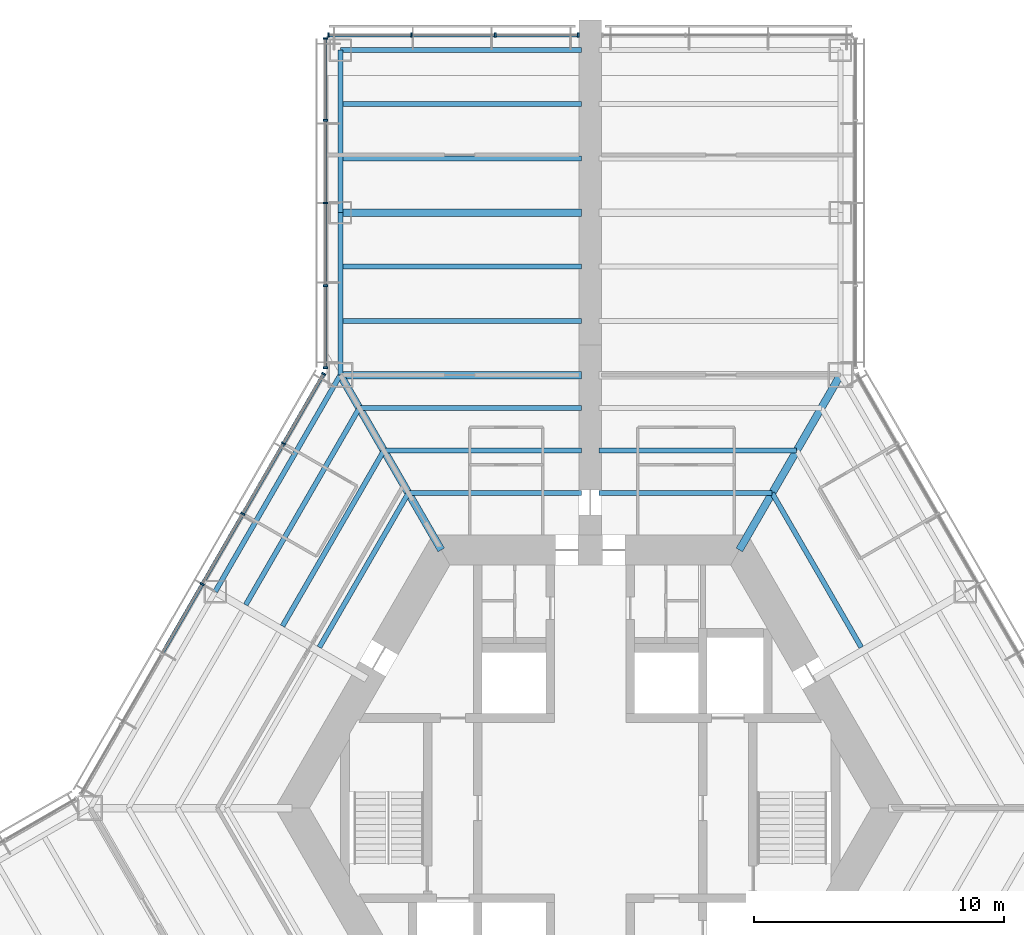
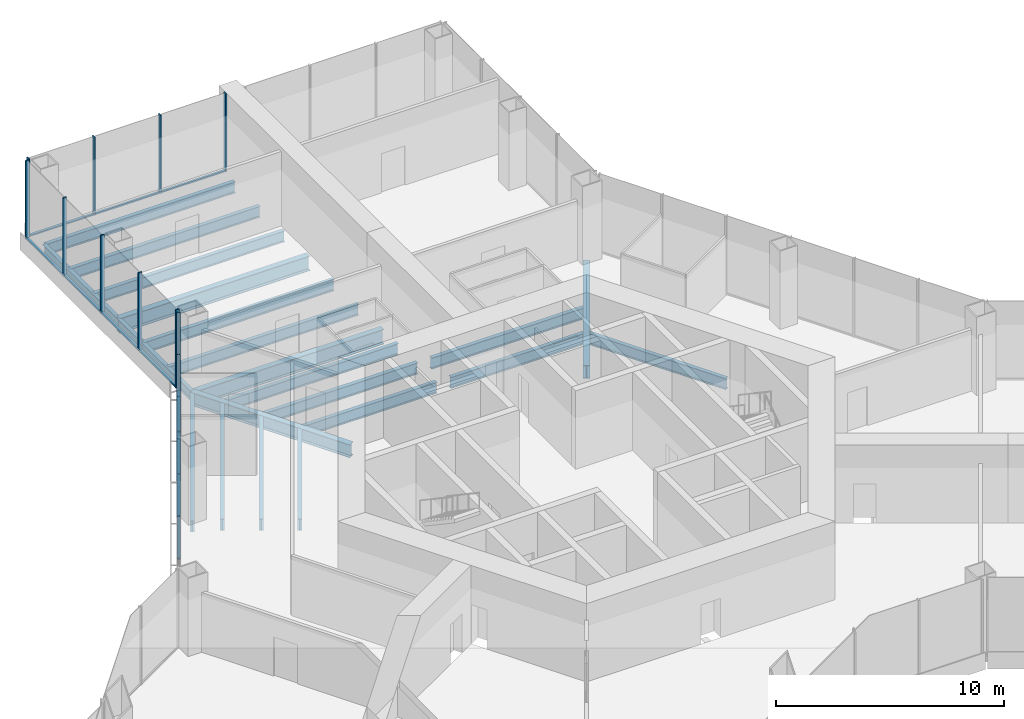
# One storey, part 6 of 16: 24 members, 21 beams, 3 elements without a shape of their own.
"""IFC4 building model written with IfcOpenShell, lengths in metres."""

import ifcopenshell
import ifcopenshell.guid

model = None  # the IFC model being written
_history = None  # IfcOwnerHistory: only IFC2X3 demands one
_inside = {}  # id of a spatial element -> (the spatial element, [elements in it])
_under = {}  # id of a project, library or spatial element -> (it, [spatial elements below it])
_declared = {}  # id of a project -> (the project, [libraries it declares])
_typed = {}  # id of a type object -> (the type object, [elements of that type])
_made_of = {}  # id of a material, layer set ... -> (it, [elements and type objects made of it])


def new_model(schema):
    """Start an empty IFC model of exactly this schema.

    Asked for "IFC4X3", IfcOpenShell would pick the latest addendum, in which some entities
    have other attributes; the version numbers below select the first issue.
    IFC2X3 requires an IfcOwnerHistory on every rooted entity: one is made here for all.
    """
    global model, _history
    if schema == "IFC4X3":
        model = ifcopenshell.file(schema_version=(4, 3, 0, 0))
    else:
        model = ifcopenshell.file(schema=schema)
    _inside.clear()
    _under.clear()
    _declared.clear()
    _typed.clear()
    _made_of.clear()
    _history = None
    if model.schema == "IFC2X3":
        org = make("IfcOrganization", Name="unknown")
        user = make(
            "IfcPersonAndOrganization",
            ThePerson=make("IfcPerson", FamilyName="unknown"),
            TheOrganization=org,
        )
        app = make(
            "IfcApplication",
            ApplicationDeveloper=org,
            Version="unknown",
            ApplicationFullName="unknown",
            ApplicationIdentifier="unknown",
        )
        _history = make(
            "IfcOwnerHistory",
            OwningUser=user,
            OwningApplication=app,
            ChangeAction="ADDED",
            CreationDate=0,
        )
    return model


def make(cls, **values):
    """One entity of the class cls with the attributes given. An attribute that is None is left unset."""
    return model.create_entity(
        cls, **{name: value for name, value in values.items() if value is not None}
    )


def rooted(cls, **values):
    """An entity with a GlobalId (a new one), such as an element, a storey or a relation."""
    return make(cls, GlobalId=ifcopenshell.guid.new(), OwnerHistory=_history, **values)


def si_unit(unit_type, name, prefix=None):
    """IfcSIUnit, for example si_unit("LENGTHUNIT", "METRE", prefix="MILLI")."""
    return make("IfcSIUnit", UnitType=unit_type, Prefix=prefix, Name=name)


def assignment(units):
    """IfcUnitAssignment: the units of a project."""
    return None if units is None else make("IfcUnitAssignment", Units=units)


def point(xyz):
    """IfcCartesianPoint."""
    return None if xyz is None else make("IfcCartesianPoint", Coordinates=xyz)


def direction(xyz):
    """IfcDirection."""
    return None if xyz is None else make("IfcDirection", DirectionRatios=xyz)


def frame(location, z_axis=None, x_axis=None):
    """IfcAxis2Placement3D, a coordinate frame: its origin and axes. An axis left out is left unset."""
    return make(
        "IfcAxis2Placement3D",
        Location=point(location),
        Axis=direction(z_axis),
        RefDirection=direction(x_axis),
    )


def frame_2d(location, x_axis=None):
    """IfcAxis2Placement2D, a coordinate frame in the plane: its origin and x axis."""
    return make(
        "IfcAxis2Placement2D", Location=point(location), RefDirection=direction(x_axis)
    )


def origin():
    """The frame at (0, 0, 0) with its axes left unset."""
    return frame((0.0, 0.0, 0.0))


def origin_2d():
    """The frame at (0, 0) in the plane with its x axis left unset."""
    return frame_2d((0.0, 0.0))


def place(relative_to, where):
    """IfcLocalPlacement: puts the frame where relative to a parent placement (None: the world)."""
    return make(
        "IfcLocalPlacement", PlacementRelTo=relative_to, RelativePlacement=where
    )


def context(
    kind, dimensions, precision=None, world=None, true_north=None, identifier=None
):
    """IfcGeometricRepresentationContext, for example the 3D "Model" context."""
    return make(
        "IfcGeometricRepresentationContext",
        ContextIdentifier=identifier,
        ContextType=kind,
        CoordinateSpaceDimension=dimensions,
        Precision=precision,
        WorldCoordinateSystem=world,
        TrueNorth=true_north,
    )


def subcontext(parent, identifier, kind, view, scale=None):
    """IfcGeometricRepresentationSubContext, for example "Body" below "Model"."""
    return make(
        "IfcGeometricRepresentationSubContext",
        ContextIdentifier=identifier,
        ContextType=kind,
        ParentContext=parent,
        TargetScale=scale,
        TargetView=view,
    )


def project(units=None, contexts=None):
    """IfcProject with its units and contexts."""
    return rooted(
        "IfcProject",
        Name="project",
        RepresentationContexts=contexts,
        UnitsInContext=assignment(units),
    )


def spatial(cls, under=None, at=None, **own):
    """A site, building, storey or space (cls), placed at a placement, below another one or the project."""
    s = rooted(cls, ObjectPlacement=at, **own)
    if under is not None:
        _under.setdefault(under.id(), (under, []))[1].append(s)
    return s


def profile(cls, at=None, kind="AREA", **sizes):
    """A parametric profile (cls). Its sizes go by their IFC names, for example OverallWidth=200.0."""
    return make(cls, ProfileType=kind, Position=at, **sizes)


def rectangle(**sizes):
    """IfcRectangleProfileDef."""
    return profile("IfcRectangleProfileDef", **sizes)


def i_section(**sizes):
    """IfcIShapeProfileDef."""
    return profile("IfcIShapeProfileDef", **sizes)


def extrude(swept, where, along, depth):
    """IfcExtrudedAreaSolid: the profile swept, set in the frame where, extruded along a direction by depth."""
    return make(
        "IfcExtrudedAreaSolid",
        SweptArea=swept,
        Position=where,
        ExtrudedDirection=direction(along),
        Depth=depth,
    )


def shape(context_of_items, identifier, shape_type, items):
    """IfcShapeRepresentation: the items that make up one representation, for example the "Body"."""
    return make(
        "IfcShapeRepresentation",
        ContextOfItems=context_of_items,
        RepresentationIdentifier=identifier,
        RepresentationType=shape_type,
        Items=items,
    )


def material(Name=None, Category=None):
    """IfcMaterial."""
    return make("IfcMaterial", Name=Name, Category=Category)


def material_profile(
    of_material, cross_section, Name=None, Category=None, Priority=None
):
    """IfcMaterialProfile: a cross section and its material."""
    return make(
        "IfcMaterialProfile",
        Name=Name,
        Material=of_material,
        Profile=cross_section,
        Priority=Priority,
        Category=Category,
    )


def profile_set(profiles, Name=None, composite=None):
    """IfcMaterialProfileSet."""
    return make(
        "IfcMaterialProfileSet",
        Name=Name,
        MaterialProfiles=profiles,
        CompositeProfile=composite,
    )


def made_of(thing, what):
    """Note that an element or type object is made of a material, layer set ...; save() writes the relation."""
    if what is not None:
        _made_of.setdefault(what.id(), (what, []))[1].append(thing)
    return thing


def type_object(cls, material=None, **own):
    """A type object (cls), such as IfcWallType, which elements share."""
    return made_of(rooted(cls, **own), material)


def element(
    cls,
    number,
    at=None,
    inside=None,
    cuts=None,
    type_object=None,
    material=None,
    context=None,
    identifier="Body",
    shape_type=None,
    held_by="IfcProductDefinitionShape",
    body=None,
    shapes=None,
    **own,
):
    """One element of the class cls, such as IfcWall. Its Tag is "e" and its number.

    at: its placement. inside: the storey or other place that contains it. cuts: it is an
    opening in that element (IfcRelVoidsElement). A single representation is given by context,
    identifier, shape_type and body (its items); several are given by shapes. held_by: the class
    of the entity that holds the representations. save() writes the other relations.
    """
    e = rooted(cls, Tag="e%d" % number, ObjectPlacement=at, **own)
    if body is not None:
        shapes = [shape(context, identifier, shape_type, body)]
    if shapes is not None:
        e.Representation = make(held_by, Representations=shapes)
    if inside is not None:
        _inside.setdefault(inside.id(), (inside, []))[1].append(e)
    if cuts is not None:
        rooted(
            "IfcRelVoidsElement", RelatingBuildingElement=cuts, RelatedOpeningElement=e
        )
    if type_object is not None:
        _typed.setdefault(type_object.id(), (type_object, []))[1].append(e)
    return made_of(e, material)


def aggregate(whole, parts):
    """IfcRelAggregates: a whole, such as a stair, and the parts it consists of."""
    return rooted("IfcRelAggregates", RelatingObject=whole, RelatedObjects=parts)


def save(model, path):
    """Write the relations noted so far, then the file.

    IfcRelAggregates (storeys below a building ...), IfcRelContainedInSpatialStructure (elements
    in a storey), IfcRelDefinesByType, IfcRelAssociatesMaterial and IfcRelDeclares: one each for
    every whole, place, type object, material and project.
    """
    for whole, parts in _under.values():
        aggregate(whole, parts)
    for where, things in _inside.values():
        rooted(
            "IfcRelContainedInSpatialStructure",
            RelatedElements=things,
            RelatingStructure=where,
        )
    for kind, things in _typed.values():
        rooted("IfcRelDefinesByType", RelatedObjects=things, RelatingType=kind)
    for what, things in _made_of.values():
        rooted("IfcRelAssociatesMaterial", RelatedObjects=things, RelatingMaterial=what)
    for by, libraries in _declared.values():
        rooted("IfcRelDeclares", RelatingContext=by, RelatedDefinitions=libraries)
    model.write(path)


model = new_model("IFC4")

# Units and contexts
model_context = context("Model", 3, precision=1e-05, world=origin(), true_north=direction((0.0, 1.0)))
body_context = subcontext(model_context, "Body", "Model", "MODEL_VIEW")
ifc_project = project(units=[si_unit("LENGTHUNIT", "METRE"), si_unit("AREAUNIT", "SQUARE_METRE"), si_unit("VOLUMEUNIT", "CUBIC_METRE"), si_unit("PLANEANGLEUNIT", "RADIAN"), si_unit("MASSUNIT", "GRAM", prefix="KILO")], contexts=[model_context])

# Site, building, storey
site_placement = place(None, origin())
site = spatial("IfcSite", under=ifc_project, at=site_placement, CompositionType="ELEMENT")
building_placement = place(site_placement, origin())
building = spatial("IfcBuilding", under=site, at=building_placement, Name="Kasaneha Research Tower", CompositionType="ELEMENT")
storey_placement = place(building_placement, frame((0.0, 0.0, 18.39990234375)))
storey = spatial("IfcBuildingStorey", under=building, at=storey_placement, Name="L05", CompositionType="ELEMENT", Elevation=18.39990234375)

# Beams
ifc_material_1 = material(Name="Steel SN490B", Category="steel")
ifc_material_profile_1 = material_profile(ifc_material_1, i_section(OverallWidth=0.199951171875, OverallDepth=0.60009765625, WebThickness=0.010986328125, FlangeThickness=0.01708984375, FilletRadius=0.012939453125, at=origin_2d()), Name="H-600x200x11x17")
ifc_profile_set_1 = profile_set([ifc_material_profile_1], Name="Steel SN490B")
beam_type_1 = type_object("IfcBeamType", Name="B1-1 secondary beam H-600x200x11x17", PredefinedType="JOIST", material=ifc_profile_set_1)
beam_1_placement = place(storey_placement, frame((7.274658203125, 12.60009765625, -0.5), z_axis=(0.499990404686, -0.866030943571, 0.0), x_axis=(0.866030943571, 0.499990404686, 0.0)))
element("IfcBeam", 1, at=beam_1_placement, inside=storey, type_object=beam_type_1, Name="Secondary beam RS030R1 L05", PredefinedType="JOIST", context=body_context, shape_type="SweptSolid", body=[
    extrude(i_section(OverallWidth=0.199951171875, OverallDepth=0.60009765625, WebThickness=0.010986328125, FlangeThickness=0.01708984375, FilletRadius=0.012939453125, at=origin_2d()), origin(), (0.0, 0.0, 1.0), 7.124755859375),
])
beam_2_placement = place(storey_placement, frame((7.274658203125, 12.60009765625, -0.5), z_axis=(-1.0, 0.0, 0.0), x_axis=(0.0, -1.0, 0.0)))
element("IfcBeam", 2, at=beam_2_placement, inside=storey, type_object=beam_type_1, Name="Secondary beam RS090L1 L05", PredefinedType="JOIST", context=body_context, shape_type="SweptSolid", body=[
    extrude(i_section(OverallWidth=0.199951171875, OverallDepth=0.60009765625, WebThickness=0.010986328125, FlangeThickness=0.01708984375, FilletRadius=0.012939453125, at=origin_2d()), origin(), (0.0, 0.0, 1.0), 6.924560546875),
])
beam_3_placement = place(storey_placement, frame((8.256103515625, 14.300048828125, -0.5), z_axis=(-1.0, 0.0, 0.0), x_axis=(0.0, -1.0, 0.0)))
element("IfcBeam", 3, at=beam_3_placement, inside=storey, type_object=beam_type_1, Name="Secondary beam RS090L2 L05", PredefinedType="JOIST", context=body_context, shape_type="SweptSolid", body=[
    extrude(i_section(OverallWidth=0.199951171875, OverallDepth=0.60009765625, WebThickness=0.010986328125, FlangeThickness=0.01708984375, FilletRadius=0.012939453125, at=origin_2d()), origin(), (0.0, 0.0, 1.0), 7.906005859375),
])
beam_4_placement = place(storey_placement, frame((-7.274658203125, 12.60009765625, -0.5), z_axis=(1.0, 0.0, 0.0), x_axis=(0.0, 1.0, 0.0)))
element("IfcBeam", 4, at=beam_4_placement, inside=storey, type_object=beam_type_1, Name="Secondary beam RS090R1 L05", PredefinedType="JOIST", context=body_context, shape_type="SweptSolid", body=[
    extrude(i_section(OverallWidth=0.199951171875, OverallDepth=0.60009765625, WebThickness=0.010986328125, FlangeThickness=0.01708984375, FilletRadius=0.012939453125, at=origin_2d()), origin(), (0.0, 0.0, 1.0), 6.924560546875),
])
beam_5_placement = place(storey_placement, frame((-8.256103515625, 14.300048828125, -0.5), z_axis=(1.0, 0.0, 0.0), x_axis=(0.0, 1.0, 0.0)))
element("IfcBeam", 5, at=beam_5_placement, inside=storey, type_object=beam_type_1, Name="Secondary beam RS090R2 L05", PredefinedType="JOIST", context=body_context, shape_type="SweptSolid", body=[
    extrude(i_section(OverallWidth=0.199951171875, OverallDepth=0.60009765625, WebThickness=0.010986328125, FlangeThickness=0.01708984375, FilletRadius=0.012939453125, at=origin_2d()), origin(), (0.0, 0.0, 1.0), 7.906005859375),
])
beam_6_placement = place(storey_placement, frame((-9.237548828125, 16.0, -0.5), z_axis=(1.0, 0.0, 0.0), x_axis=(0.0, 1.0, 0.0)))
element("IfcBeam", 6, at=beam_6_placement, inside=storey, type_object=beam_type_1, Name="Secondary beam RS090R3 L05", PredefinedType="JOIST", context=body_context, shape_type="SweptSolid", body=[
    extrude(i_section(OverallWidth=0.199951171875, OverallDepth=0.60009765625, WebThickness=0.010986328125, FlangeThickness=0.01708984375, FilletRadius=0.012939453125, at=origin_2d()), origin(), (0.0, 0.0, 1.0), 8.887451171875),
])
beam_7_placement = place(storey_placement, frame((-7.274658203125, 12.60009765625, -0.5), z_axis=(-0.499990404686, -0.866030943571, 0.0), x_axis=(0.866030943571, -0.499990404686, 0.0)))
element("IfcBeam", 7, at=beam_7_placement, inside=storey, type_object=beam_type_1, Name="Secondary beam RS150L1 L05", PredefinedType="JOIST", context=body_context, shape_type="SweptSolid", body=[
    extrude(i_section(OverallWidth=0.199951171875, OverallDepth=0.60009765625, WebThickness=0.010986328125, FlangeThickness=0.01708984375, FilletRadius=0.012939453125, at=origin_2d()), origin(), (0.0, 0.0, 1.0), 7.124755859375),
])
beam_8_placement = place(storey_placement, frame((-8.256103515625, 14.300048828125, -0.5), z_axis=(-0.499984030215, -0.866034623748, 0.0), x_axis=(0.866034623748, -0.499984030215, 0.0)))
element("IfcBeam", 8, at=beam_8_placement, inside=storey, type_object=beam_type_1, Name="Secondary beam RS150L2 L05", PredefinedType="JOIST", context=body_context, shape_type="SweptSolid", body=[
    extrude(i_section(OverallWidth=0.199951171875, OverallDepth=0.60009765625, WebThickness=0.010986328125, FlangeThickness=0.01708984375, FilletRadius=0.012939453125, at=origin_2d()), origin(), (0.0, 0.0, 1.0), 8.106201171875),
])
beam_9_placement = place(storey_placement, frame((-9.237548828125, 16.0, -0.5), z_axis=(-0.500010814234, -0.866019160093, 0.0), x_axis=(0.866019160093, -0.500010814234, 0.0)))
element("IfcBeam", 9, at=beam_9_placement, inside=storey, type_object=beam_type_1, Name="Secondary beam RS150L3 L05", PredefinedType="JOIST", context=body_context, shape_type="SweptSolid", body=[
    extrude(i_section(OverallWidth=0.199951171875, OverallDepth=0.60009765625, WebThickness=0.010986328125, FlangeThickness=0.01708984375, FilletRadius=0.012939453125, at=origin_2d()), origin(), (0.0, 0.0, 1.0), 9.087646484375),
])
ifc_material_2 = material(Name="Steel SN490B", Category="steel")
ifc_material_profile_2 = material_profile(ifc_material_2, i_section(OverallWidth=0.198974609375, OverallDepth=0.595947265625, WebThickness=0.010009765625, FlangeThickness=0.014892578125, FilletRadius=0.012939453125, at=origin_2d()), Name="H-596x199x10x15")
ifc_profile_set_2 = profile_set([ifc_material_profile_2], Name="Steel SN490B")
beam_type_2 = type_object("IfcBeamType", Name="B2-1 secondary beam H-596x199x10x15", PredefinedType="JOIST", material=ifc_profile_set_2)
for number, where, z_axis, x_axis, name in (
    (10, (-10.0, 19.487060546875, -0.497802734375), (1.0, 0.0, 0.0), (0.0, 1.0, 0.0), "Secondary beam WBAN1 L05"),
    (11, (-10.0, 21.65380859375, -0.497802734375), (1.0, 0.0, 0.0), (0.0, 1.0, 0.0), "Secondary beam WBAN2 L05"),
    (12, (-10.0, 25.987060546875, -0.497802734375), (1.0, 0.0, 0.0), (0.0, 1.0, 0.0), "Secondary beam WBAN3 L05"),
    (13, (-10.0, 28.15380859375, -0.497802734375), (1.0, 0.0, 0.0), (0.0, 1.0, 0.0), "Secondary beam WBAN4 L05"),
):
    element("IfcBeam", number, at=place(storey_placement, frame(where, z_axis=z_axis, x_axis=x_axis)), inside=storey, type_object=beam_type_2, Name=name, PredefinedType="JOIST", context=body_context, shape_type="SweptSolid", body=[
        extrude(i_section(OverallWidth=0.198974609375, OverallDepth=0.595947265625, WebThickness=0.010009765625, FlangeThickness=0.014892578125, FilletRadius=0.012939453125, at=origin_2d()), origin(), (0.0, 0.0, 1.0), 9.64990234375),
    ])

# Curtain wall, members
ifc_material_3 = material(Name="Glass and aluminium", Category="aluminium")
curtain_wall_type = type_object("IfcCurtainWallType", Name="Wet laboratory curtain wall", PredefinedType="USERDEFINED", material=ifc_material_3)
curtain_wall_1_placement = place(storey_placement, origin())
curtain_wall_1 = element("IfcCurtainWall", 14, at=curtain_wall_1_placement, inside=storey, type_object=curtain_wall_type, Name="CW-L1 L05 run 10a", ObjectType="UNITISED CURTAIN WALL", PredefinedType="USERDEFINED")
ifc_material_4 = material(Name="Aluminium 6063-T6", Category="aluminium")
ifc_material_profile_3 = material_profile(ifc_material_4, rectangle(XDim=0.06494140625, YDim=0.179931640625, at=origin_2d()), Name="CW-L1 mullion 65x180")
ifc_profile_set_3 = profile_set([ifc_material_profile_3], Name="Aluminium 6063-T6")
member_type_1 = type_object("IfcMemberType", Name="CW-L1 mullion", PredefinedType="MULLION", material=ifc_profile_set_3)
member_1_placement = place(storey_placement, frame((-0.482421875, 30.92041015625, 0.0), z_axis=(0.0, 0.0, 1.0), x_axis=(-1.0, 0.0, 0.0)))
member_1 = element("IfcMember", 15, at=member_1_placement, type_object=member_type_1, Name="CW-L1 mullion 1", PredefinedType="MULLION", context=body_context, shape_type="SweptSolid", body=[
    extrude(rectangle(XDim=0.06494140625, YDim=0.179931640625, at=origin_2d()), origin(), (0.0, 0.0, 1.0), 4.2001953125),
])
member_2_placement = place(storey_placement, frame((-3.800048828125, 30.92041015625, 0.0), z_axis=(0.0, 0.0, 1.0), x_axis=(-1.0, 0.0, 0.0)))
member_2 = element("IfcMember", 16, at=member_2_placement, type_object=member_type_1, Name="CW-L1 mullion 2", PredefinedType="MULLION", context=body_context, shape_type="SweptSolid", body=[
    extrude(rectangle(XDim=0.06494140625, YDim=0.179931640625, at=origin_2d()), origin(), (0.0, 0.0, 1.0), 4.2001953125),
])
member_3_placement = place(storey_placement, frame((-7.14990234375, 30.92041015625, 0.0), z_axis=(0.0, 0.0, 1.0), x_axis=(-1.0, 0.0, 0.0)))
member_3 = element("IfcMember", 17, at=member_3_placement, type_object=member_type_1, Name="CW-L1 mullion 3", PredefinedType="MULLION", context=body_context, shape_type="SweptSolid", body=[
    extrude(rectangle(XDim=0.06494140625, YDim=0.179931640625, at=origin_2d()), origin(), (0.0, 0.0, 1.0), 4.2001953125),
])
member_4_placement = place(storey_placement, frame((-10.467529296875, 30.92041015625, 0.0), z_axis=(0.0, 0.0, 1.0), x_axis=(-1.0, 0.0, 0.0)))
member_4 = element("IfcMember", 18, at=member_4_placement, type_object=member_type_1, Name="CW-L1 mullion 4", PredefinedType="MULLION", context=body_context, shape_type="SweptSolid", body=[
    extrude(rectangle(XDim=0.06494140625, YDim=0.179931640625, at=origin_2d()), origin(), (0.0, 0.0, 1.0), 4.2001953125),
])

curtain_wall_2_placement = place(storey_placement, origin())
curtain_wall_2 = element("IfcCurtainWall", 19, at=curtain_wall_2_placement, inside=storey, type_object=curtain_wall_type, Name="CW-L1 L05 run 11a", ObjectType="UNITISED CURTAIN WALL", PredefinedType="USERDEFINED")
member_5_placement = place(storey_placement, frame((-10.60009765625, 30.7880859375, 0.0), z_axis=(0.0, 0.0, 1.0), x_axis=(0.0, -1.0, 0.0)))
member_5 = element("IfcMember", 20, at=member_5_placement, type_object=member_type_1, Name="CW-L1 mullion 1", PredefinedType="MULLION", context=body_context, shape_type="SweptSolid", body=[
    extrude(rectangle(XDim=0.06494140625, YDim=0.179931640625, at=origin_2d()), origin(), (0.0, 0.0, 1.0), 4.2001953125),
])
member_6_placement = place(storey_placement, frame((-10.60009765625, 27.5107421875, 0.0), z_axis=(0.0, 0.0, 1.0), x_axis=(0.0, -1.0, 0.0)))
member_6 = element("IfcMember", 21, at=member_6_placement, type_object=member_type_1, Name="CW-L1 mullion 2", PredefinedType="MULLION", context=body_context, shape_type="SweptSolid", body=[
    extrude(rectangle(XDim=0.06494140625, YDim=0.179931640625, at=origin_2d()), origin(), (0.0, 0.0, 1.0), 4.2001953125),
])
member_7_placement = place(storey_placement, frame((-10.60009765625, 24.200927734375, 0.0), z_axis=(0.0, 0.0, 1.0), x_axis=(0.0, -1.0, 0.0)))
member_7 = element("IfcMember", 22, at=member_7_placement, type_object=member_type_1, Name="CW-L1 mullion 3", PredefinedType="MULLION", context=body_context, shape_type="SweptSolid", body=[
    extrude(rectangle(XDim=0.06494140625, YDim=0.179931640625, at=origin_2d()), origin(), (0.0, 0.0, 1.0), 4.2001953125),
])
member_8_placement = place(storey_placement, frame((-10.60009765625, 20.89111328125, 0.0), z_axis=(0.0, 0.0, 1.0), x_axis=(0.0, -1.0, 0.0)))
member_8 = element("IfcMember", 23, at=member_8_placement, type_object=member_type_1, Name="CW-L1 mullion 4", PredefinedType="MULLION", context=body_context, shape_type="SweptSolid", body=[
    extrude(rectangle(XDim=0.06494140625, YDim=0.179931640625, at=origin_2d()), origin(), (0.0, 0.0, 1.0), 4.2001953125),
])
member_9_placement = place(storey_placement, frame((-10.60009765625, 17.61376953125, 0.0), z_axis=(0.0, 0.0, 1.0), x_axis=(0.0, -1.0, 0.0)))
member_9 = element("IfcMember", 24, at=member_9_placement, type_object=member_type_1, Name="CW-L1 mullion 5", PredefinedType="MULLION", context=body_context, shape_type="SweptSolid", body=[
    extrude(rectangle(XDim=0.06494140625, YDim=0.179931640625, at=origin_2d()), origin(), (0.0, 0.0, 1.0), 4.2001953125),
])

curtain_wall_3_placement = place(storey_placement, origin())
curtain_wall_3 = element("IfcCurtainWall", 25, at=curtain_wall_3_placement, inside=storey, type_object=curtain_wall_type, Name="CW-L1 L05 run 12a", ObjectType="UNITISED CURTAIN WALL", PredefinedType="USERDEFINED")
member_10_placement = place(storey_placement, frame((-10.666259765625, 17.366455078125, 0.0), z_axis=(0.0, 0.0, 1.0), x_axis=(-0.49999996188, -0.866025425793, 0.0)))
member_10 = element("IfcMember", 26, at=member_10_placement, type_object=member_type_1, Name="CW-L1 mullion 1", PredefinedType="MULLION", context=body_context, shape_type="SweptSolid", body=[
    extrude(rectangle(XDim=0.06494140625, YDim=0.179931640625, at=origin_2d()), origin(), (0.0, 0.0, 1.0), 4.2001953125),
])
member_11_placement = place(storey_placement, frame((-12.273193359375, 14.583251953125, 0.0), z_axis=(0.0, 0.0, 1.0), x_axis=(-0.49999996188, -0.866025425793, 0.0)))
member_11 = element("IfcMember", 27, at=member_11_placement, type_object=member_type_1, Name="CW-L1 mullion 2", PredefinedType="MULLION", context=body_context, shape_type="SweptSolid", body=[
    extrude(rectangle(XDim=0.06494140625, YDim=0.179931640625, at=origin_2d()), origin(), (0.0, 0.0, 1.0), 4.2001953125),
])
member_12_placement = place(storey_placement, frame((-13.896484375, 11.771728515625, 0.0), z_axis=(0.0, 0.0, 1.0), x_axis=(-0.49999996188, -0.866025425793, 0.0)))
member_12 = element("IfcMember", 28, at=member_12_placement, type_object=member_type_1, Name="CW-L1 mullion 3", PredefinedType="MULLION", context=body_context, shape_type="SweptSolid", body=[
    extrude(rectangle(XDim=0.06494140625, YDim=0.179931640625, at=origin_2d()), origin(), (0.0, 0.0, 1.0), 4.2001953125),
])
member_13_placement = place(storey_placement, frame((-15.51953125, 8.960205078125, 0.0), z_axis=(0.0, 0.0, 1.0), x_axis=(-0.49999996188, -0.866025425793, 0.0)))
member_13 = element("IfcMember", 29, at=member_13_placement, type_object=member_type_1, Name="CW-L1 mullion 4", PredefinedType="MULLION", context=body_context, shape_type="SweptSolid", body=[
    extrude(rectangle(XDim=0.06494140625, YDim=0.179931640625, at=origin_2d()), origin(), (0.0, 0.0, 1.0), 4.2001953125),
])

# Member
ifc_material_5 = material(Name="Aluminium 6063-T6", Category="aluminium")
ifc_material_profile_4 = material_profile(ifc_material_5, rectangle(XDim=0.139892578125, YDim=0.06494140625, at=origin_2d()), Name="CW-L1 transom 140x65")
ifc_profile_set_4 = profile_set([ifc_material_profile_4], Name="Aluminium 6063-T6")
member_type_2 = type_object("IfcMemberType", Name="CW-L1 transom", PredefinedType="USERDEFINED", material=ifc_profile_set_4)
member_14_placement = place(storey_placement, frame((-0.514892578125, 30.92041015625, 0.03271484375), z_axis=(-1.0, 0.0, 0.0), x_axis=(0.0, -1.0, 0.0)))
member_14 = element("IfcMember", 30, at=member_14_placement, type_object=member_type_2, Name="CW-L1 transom 1", ObjectType="TRANSOM", PredefinedType="USERDEFINED", context=body_context, shape_type="SweptSolid", body=[
    extrude(rectangle(XDim=0.139892578125, YDim=0.06494140625, at=origin_2d()), origin(), (0.0, 0.0, 1.0), 3.252685546875),
])

member_15_placement = place(storey_placement, frame((-3.83251953125, 30.92041015625, 0.03271484375), z_axis=(-1.0, 0.0, 0.0), x_axis=(0.0, -1.0, 0.0)))
member_15 = element("IfcMember", 31, at=member_15_placement, type_object=member_type_2, Name="CW-L1 transom 2", ObjectType="TRANSOM", PredefinedType="USERDEFINED", context=body_context, shape_type="SweptSolid", body=[
    extrude(rectangle(XDim=0.139892578125, YDim=0.06494140625, at=origin_2d()), origin(), (0.0, 0.0, 1.0), 3.284912109375),
])

member_16_placement = place(storey_placement, frame((-7.1826171875, 30.92041015625, 0.03271484375), z_axis=(-1.0, 0.0, 0.0), x_axis=(0.0, -1.0, 0.0)))
member_16 = element("IfcMember", 32, at=member_16_placement, type_object=member_type_2, Name="CW-L1 transom 3", ObjectType="TRANSOM", PredefinedType="USERDEFINED", context=body_context, shape_type="SweptSolid", body=[
    extrude(rectangle(XDim=0.139892578125, YDim=0.06494140625, at=origin_2d()), origin(), (0.0, 0.0, 1.0), 3.25244140625),
])

aggregate(curtain_wall_1, [member_1, member_2, member_3, member_4, member_14, member_15, member_16])

member_17_placement = place(storey_placement, frame((-10.60009765625, 30.755615234375, 0.03271484375), z_axis=(0.0, -1.0, 0.0), x_axis=(1.0, 0.0, 0.0)))
member_17 = element("IfcMember", 33, at=member_17_placement, type_object=member_type_2, Name="CW-L1 transom 1", ObjectType="TRANSOM", PredefinedType="USERDEFINED", context=body_context, shape_type="SweptSolid", body=[
    extrude(rectangle(XDim=0.139892578125, YDim=0.06494140625, at=origin_2d()), origin(), (0.0, 0.0, 1.0), 3.21240234375),
])

member_18_placement = place(storey_placement, frame((-10.60009765625, 27.478271484375, 0.03271484375), z_axis=(0.0, -1.0, 0.0), x_axis=(1.0, 0.0, 0.0)))
member_18 = element("IfcMember", 34, at=member_18_placement, type_object=member_type_2, Name="CW-L1 transom 2", ObjectType="TRANSOM", PredefinedType="USERDEFINED", context=body_context, shape_type="SweptSolid", body=[
    extrude(rectangle(XDim=0.139892578125, YDim=0.06494140625, at=origin_2d()), origin(), (0.0, 0.0, 1.0), 3.244873046875),
])

member_19_placement = place(storey_placement, frame((-10.60009765625, 24.16845703125, 0.03271484375), z_axis=(0.0, -1.0, 0.0), x_axis=(1.0, 0.0, 0.0)))
member_19 = element("IfcMember", 35, at=member_19_placement, type_object=member_type_2, Name="CW-L1 transom 3", ObjectType="TRANSOM", PredefinedType="USERDEFINED", context=body_context, shape_type="SweptSolid", body=[
    extrude(rectangle(XDim=0.139892578125, YDim=0.06494140625, at=origin_2d()), origin(), (0.0, 0.0, 1.0), 3.244873046875),
])

member_20_placement = place(storey_placement, frame((-10.60009765625, 20.858642578125, 0.03271484375), z_axis=(0.0, -1.0, 0.0), x_axis=(1.0, 0.0, 0.0)))
member_20 = element("IfcMember", 36, at=member_20_placement, type_object=member_type_2, Name="CW-L1 transom 4", ObjectType="TRANSOM", PredefinedType="USERDEFINED", context=body_context, shape_type="SweptSolid", body=[
    extrude(rectangle(XDim=0.139892578125, YDim=0.06494140625, at=origin_2d()), origin(), (0.0, 0.0, 1.0), 3.21240234375),
])

aggregate(curtain_wall_2, [member_5, member_6, member_7, member_8, member_9, member_17, member_18, member_19, member_20])

member_21_placement = place(storey_placement, frame((-10.6826171875, 17.33837890625, 0.03271484375), z_axis=(-0.499941702305, -0.866059059358, 0.0), x_axis=(0.866059059358, -0.499941702305, 0.0)))
member_21 = element("IfcMember", 37, at=member_21_placement, type_object=member_type_2, Name="CW-L1 transom 1", ObjectType="TRANSOM", PredefinedType="USERDEFINED", context=body_context, shape_type="SweptSolid", body=[
    extrude(rectangle(XDim=0.139892578125, YDim=0.06494140625, at=origin_2d()), origin(), (0.0, 0.0, 1.0), 3.14892578125),
])

member_22_placement = place(storey_placement, frame((-12.28955078125, 14.55517578125, 0.03271484375), z_axis=(-0.499943876812, -0.866057804098, 0.0), x_axis=(0.866057804098, -0.499943876812, 0.0)))
member_22 = element("IfcMember", 38, at=member_22_placement, type_object=member_type_2, Name="CW-L1 transom 2", ObjectType="TRANSOM", PredefinedType="USERDEFINED", context=body_context, shape_type="SweptSolid", body=[
    extrude(rectangle(XDim=0.139892578125, YDim=0.06494140625, at=origin_2d()), origin(), (0.0, 0.0, 1.0), 3.181396484375),
])

member_23_placement = place(storey_placement, frame((-13.91259765625, 11.74365234375, 0.03271484375), z_axis=(-0.500001430823, -0.866024577697, 0.0), x_axis=(0.866024577697, -0.500001430823, 0.0)))
member_23 = element("IfcMember", 39, at=member_23_placement, type_object=member_type_2, Name="CW-L1 transom 3", ObjectType="TRANSOM", PredefinedType="USERDEFINED", context=body_context, shape_type="SweptSolid", body=[
    extrude(rectangle(XDim=0.139892578125, YDim=0.06494140625, at=origin_2d()), origin(), (0.0, 0.0, 1.0), 3.181640625),
])

member_24_placement = place(storey_placement, frame((-15.535888671875, 8.93212890625, 0.03271484375), z_axis=(-0.499977104415, -0.866038622153, 0.0), x_axis=(0.866038622153, -0.499977104415, 0.0)))
member_24 = element("IfcMember", 40, at=member_24_placement, type_object=member_type_2, Name="CW-L1 transom 4", ObjectType="TRANSOM", PredefinedType="USERDEFINED", context=body_context, shape_type="SweptSolid", body=[
    extrude(rectangle(XDim=0.139892578125, YDim=0.06494140625, at=origin_2d()), origin(), (0.0, 0.0, 1.0), 3.181396484375),
])

aggregate(curtain_wall_3, [member_10, member_11, member_12, member_13, member_21, member_22, member_23, member_24])

# Beams
ifc_material_6 = material(Name="Steel SN490B", Category="steel")
ifc_material_profile_5 = material_profile(ifc_material_6, i_section(OverallWidth=0.300048828125, OverallDepth=0.699951171875, WebThickness=0.012939453125, FlangeThickness=0.02392578125, FilletRadius=0.01806640625, at=origin_2d()), Name="H-700x300x13x24")
ifc_profile_set_5 = profile_set([ifc_material_profile_5], Name="Steel SN490B")
beam_type_3 = type_object("IfcBeamType", Name="G1-1 radial girder H-700x300x13x24", PredefinedType="BEAM", material=ifc_profile_set_5)
for number, where, z_axis, x_axis, name in (
    (41, (5.961181640625, 10.324951171875, -0.5498046875), (0.49999105496, 0.866030568144, 0.0), (-0.866030568144, 0.49999105496, 0.0), "Radial girder RV060 L05"),
    (42, (-5.961181640625, 10.324951171875, -0.5498046875), (-0.49999105496, 0.866030568144, 0.0), (-0.866030568144, -0.49999105496, 0.0), "Radial girder RV120 L05"),
):
    element("IfcBeam", number, at=place(storey_placement, frame(where, z_axis=z_axis, x_axis=x_axis)), inside=storey, type_object=beam_type_3, Name=name, PredefinedType="BEAM", context=body_context, shape_type="SweptSolid", body=[
        extrude(i_section(OverallWidth=0.300048828125, OverallDepth=0.699951171875, WebThickness=0.012939453125, FlangeThickness=0.02392578125, FilletRadius=0.01806640625, at=origin_2d()), origin(), (0.0, 0.0, 1.0), 8.077880859375),
    ])
ifc_material_7 = material(Name="Steel SN490B", Category="steel")
ifc_material_profile_6 = material_profile(ifc_material_7, i_section(OverallWidth=0.300048828125, OverallDepth=0.7919921875, WebThickness=0.013916015625, FlangeThickness=0.02197265625, FilletRadius=0.01806640625, at=origin_2d()), Name="H-792x300x14x22")
ifc_profile_set_6 = profile_set([ifc_material_profile_6], Name="Steel SN490B")
beam_type_4 = type_object("IfcBeamType", Name="G3-1 plate edge girder H-792x300x14x22", PredefinedType="BEAM", material=ifc_profile_set_6)
beam_10_placement = place(storey_placement, frame((-10.0, 17.320556640625, -0.595947265625), z_axis=(1.0, 0.0, 0.0), x_axis=(0.0, 1.0, 0.0)))
element("IfcBeam", 43, at=beam_10_placement, inside=storey, type_object=beam_type_4, Name="Plate edge girder PEAN L05", PredefinedType="BEAM", context=body_context, shape_type="SweptSolid", body=[
    extrude(i_section(OverallWidth=0.300048828125, OverallDepth=0.7919921875, WebThickness=0.013916015625, FlangeThickness=0.02197265625, FilletRadius=0.01806640625, at=origin_2d()), origin(), (0.0, 0.0, 1.0), 9.64990234375),
])
ifc_material_8 = material(Name="Steel SN490B", Category="steel")
ifc_material_profile_7 = material_profile(ifc_material_8, i_section(OverallWidth=0.300048828125, OverallDepth=0.800048828125, WebThickness=0.013916015625, FlangeThickness=0.02587890625, FilletRadius=0.01806640625, at=origin_2d()), Name="H-800x300x14x26")
ifc_profile_set_7 = profile_set([ifc_material_profile_7], Name="Steel SN490B")
beam_type_5 = type_object("IfcBeamType", Name="G4-1 wing girder H-800x300x14x26", PredefinedType="BEAM", material=ifc_profile_set_7)
beam_11_placement = place(storey_placement, frame((-10.0, 23.820556640625, -0.599853515625), z_axis=(1.0, 0.0, 0.0), x_axis=(0.0, 1.0, 0.0)))
element("IfcBeam", 44, at=beam_11_placement, inside=storey, type_object=beam_type_5, Name="Wing girder WGAN L05", PredefinedType="BEAM", context=body_context, shape_type="SweptSolid", body=[
    extrude(i_section(OverallWidth=0.300048828125, OverallDepth=0.800048828125, WebThickness=0.013916015625, FlangeThickness=0.02587890625, FilletRadius=0.01806640625, at=origin_2d()), origin(), (0.0, 0.0, 1.0), 9.64990234375),
])
ifc_material_9 = material(Name="Steel SN490B", Category="steel")
ifc_material_profile_8 = material_profile(ifc_material_9, i_section(OverallWidth=0.199951171875, OverallDepth=0.60009765625, WebThickness=0.010986328125, FlangeThickness=0.01708984375, FilletRadius=0.012939453125, at=origin_2d()), Name="H-600x200x11x17")
ifc_profile_set_8 = profile_set([ifc_material_profile_8], Name="Steel SN490B")
beam_type_6 = type_object("IfcBeamType", Name="SB1-1 spandrel beam H-600x200x11x17", PredefinedType="SPANDREL", material=ifc_profile_set_8)
beam_12_placement = place(storey_placement, frame((-10.0, 17.320556640625, -0.5), z_axis=(-0.499993662806, -0.866029062534, 0.0), x_axis=(0.866029062534, -0.499993662806, 0.0)))
element("IfcBeam", 45, at=beam_12_placement, inside=storey, type_object=beam_type_6, Name="Spandrel beam SR150L L05", PredefinedType="SPANDREL", context=body_context, shape_type="SweptSolid", body=[
    extrude(i_section(OverallWidth=0.199951171875, OverallDepth=0.60009765625, WebThickness=0.010986328125, FlangeThickness=0.01708984375, FilletRadius=0.012939453125, at=origin_2d()), origin(), (0.0, 0.0, 1.0), 10.000244140625),
])
ifc_material_10 = material(Name="Steel SN490B", Category="steel")
ifc_material_profile_9 = material_profile(ifc_material_10, i_section(OverallWidth=0.199951171875, OverallDepth=0.5, WebThickness=0.010009765625, FlangeThickness=0.01611328125, FilletRadius=0.012939453125, at=origin_2d()), Name="H-500x200x10x16")
ifc_profile_set_9 = profile_set([ifc_material_profile_9], Name="Steel SN490B")
beam_type_7 = type_object("IfcBeamType", Name="SB2-1 spandrel beam H-500x200x10x16", PredefinedType="SPANDREL", material=ifc_profile_set_9)
for number, where, z_axis, x_axis, name in (
    (46, (-10.0, 17.320556640625, -0.449951171875), (0.0, 1.0, 0.0), (-1.0, 0.0, 0.0), "Spandrel beam WSAN1 L05"),
    (47, (-10.0, 23.820556640625, -0.449951171875), (0.0, 1.0, 0.0), (-1.0, 0.0, 0.0), "Spandrel beam WSAN2 L05"),
):
    element("IfcBeam", number, at=place(storey_placement, frame(where, z_axis=z_axis, x_axis=x_axis)), inside=storey, type_object=beam_type_7, Name=name, PredefinedType="SPANDREL", context=body_context, shape_type="SweptSolid", body=[
        extrude(i_section(OverallWidth=0.199951171875, OverallDepth=0.5, WebThickness=0.010009765625, FlangeThickness=0.01611328125, FilletRadius=0.012939453125, at=origin_2d()), origin(), (0.0, 0.0, 1.0), 6.5),
    ])
ifc_material_11 = material(Name="Steel SN490B", Category="steel")
ifc_material_profile_10 = material_profile(ifc_material_11, i_section(OverallWidth=0.199951171875, OverallDepth=0.60009765625, WebThickness=0.010986328125, FlangeThickness=0.01708984375, FilletRadius=0.012939453125, at=origin_2d()), Name="H-600x200x11x17")
ifc_profile_set_10 = profile_set([ifc_material_profile_10], Name="Steel SN490B")
beam_type_8 = type_object("IfcBeamType", Name="SB3-1 spandrel beam H-600x200x11x17", PredefinedType="SPANDREL", material=ifc_profile_set_10)
beam_13_placement = place(storey_placement, frame((-10.0, 30.320556640625, -0.5), z_axis=(1.0, 0.0, 0.0), x_axis=(0.0, 1.0, 0.0)))
element("IfcBeam", 48, at=beam_13_placement, inside=storey, type_object=beam_type_8, Name="Spandrel beam WTAN L05", PredefinedType="SPANDREL", context=body_context, shape_type="SweptSolid", body=[
    extrude(i_section(OverallWidth=0.199951171875, OverallDepth=0.60009765625, WebThickness=0.010986328125, FlangeThickness=0.01708984375, FilletRadius=0.012939453125, at=origin_2d()), origin(), (0.0, 0.0, 1.0), 9.64990234375),
])

save(model, "model.ifc")
